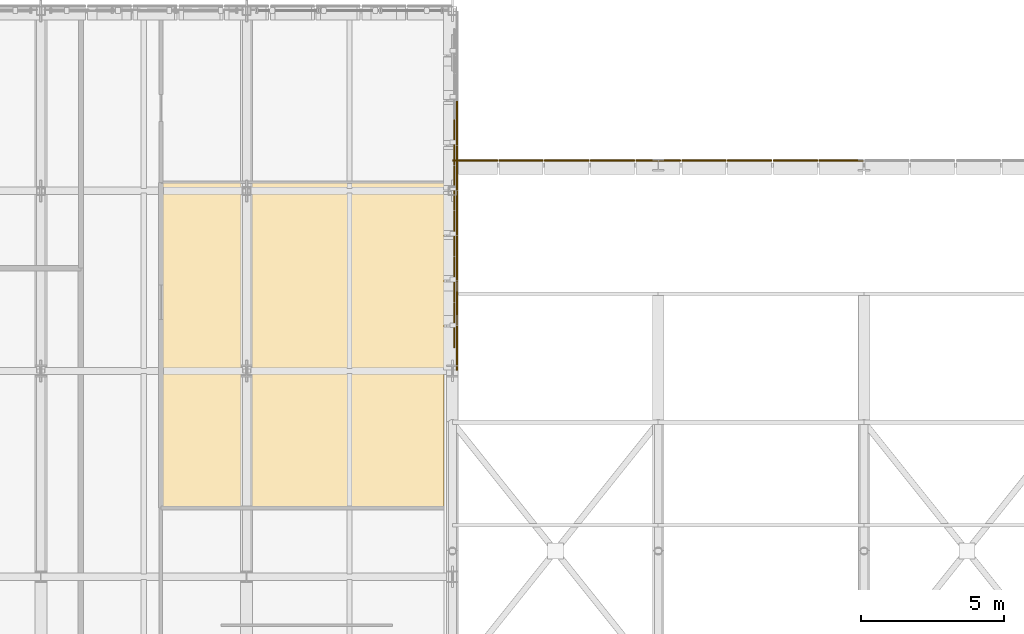
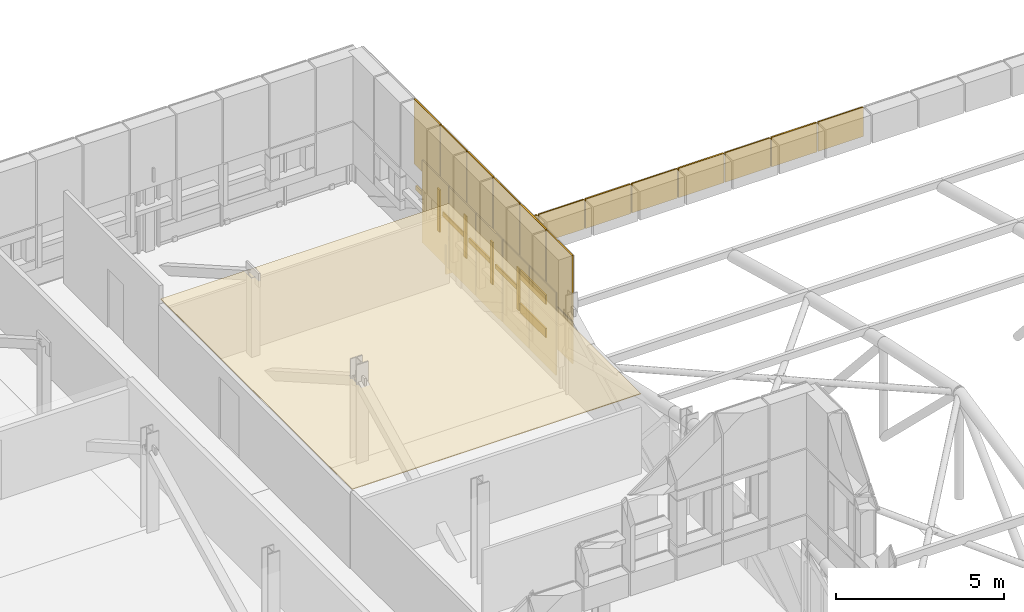
# One storey, part 86 of 96: 27 coverings, 5 shading devices.
"""IFC4 building model written with IfcOpenShell, lengths in metres."""

from ifc_helpers import new_model, si_unit, direction, frame, origin, origin_2d, place, context, subcontext, project, spatial, polyline, rectangle, outline, extrude, material, layer, layer_set, type_object, element, save


model = new_model("IFC4")

# Units and contexts
model_context = context("Model", 3, precision=1e-05, world=origin(), true_north=direction((0.0, 1.0)))
body_context = subcontext(model_context, "Body", "Model", "MODEL_VIEW")
ifc_project = project(units=[si_unit("LENGTHUNIT", "METRE"), si_unit("AREAUNIT", "SQUARE_METRE"), si_unit("VOLUMEUNIT", "CUBIC_METRE"), si_unit("PLANEANGLEUNIT", "RADIAN"), si_unit("MASSUNIT", "GRAM", prefix="KILO")], contexts=[model_context])

# Site, building, storey
site_placement = place(None, origin())
site = spatial("IfcSite", under=ifc_project, at=site_placement, CompositionType="ELEMENT")
building_placement = place(site_placement, origin())
building = spatial("IfcBuilding", under=site, at=building_placement, Name="Yarey Park Central Fire Station", CompositionType="ELEMENT")
storey_placement = place(building_placement, frame((0.0, 0.0, 14.39990234375)))
storey = spatial("IfcBuildingStorey", under=building, at=storey_placement, Name="L04", CompositionType="ELEMENT", Elevation=14.39990234375)

# Coverings
ifc_material_1 = material(Name="Perforated Powder-Coated Aluminium Cladding", Category="aluminium")
ifc_layer_1 = layer(ifc_material_1, 0.0419921875)
ifc_layer_set_1 = layer_set([ifc_layer_1], Name="Perforated Powder-Coated Aluminium Cladding")
covering_type_1 = type_object("IfcCoveringType", Name="ENV_COV_PERF_1", PredefinedType="CLADDING", material=ifc_layer_set_1)
covering_1_placement = place(storey_placement, frame((57.760009765625, 87.1875, 0.864990234375), z_axis=(0.0, 0.0, 1.0), x_axis=(0.0, 1.0, 0.0)))
element("IfcCovering", 1, at=covering_1_placement, inside=storey, type_object=covering_type_1, Name="PERF_L04_0469", PredefinedType="CLADDING", context=body_context, shape_type="SweptSolid", body=[
    extrude(rectangle(XDim=1.534912109375, YDim=0.0419921875, at=origin_2d()), origin(), (0.0, 0.0, 1.0), 1.5400390625),
])
covering_2_placement = place(storey_placement, frame((57.760009765625, 87.1875, 2.43505859375), z_axis=(0.0, 0.0, 1.0), x_axis=(0.0, 1.0, 0.0)))
element("IfcCovering", 2, at=covering_2_placement, inside=storey, type_object=covering_type_1, Name="PERF_L04_0470", PredefinedType="CLADDING", context=body_context, shape_type="SweptSolid", body=[
    extrude(rectangle(XDim=1.534912109375, YDim=0.0419921875, at=origin_2d()), origin(), (0.0, 0.0, 1.0), 2.3701171875),
])
covering_3_placement = place(storey_placement, frame((57.760009765625, 89.659912109375, 0.864990234375), z_axis=(0.0, 0.0, 1.0), x_axis=(0.0, 1.0, 0.0)))
element("IfcCovering", 3, at=covering_3_placement, inside=storey, type_object=covering_type_1, Name="PERF_L04_0486", PredefinedType="CLADDING", context=body_context, shape_type="SweptSolid", body=[
    extrude(rectangle(XDim=0.159912109375, YDim=0.0419921875, at=origin_2d()), origin(), (0.0, 0.0, 1.0), 1.5400390625),
])
covering_4_placement = place(storey_placement, frame((57.760009765625, 90.33740234375, 1.55517578125), z_axis=(0.0, 0.0, 1.0), x_axis=(0.0, 1.0, 0.0)))
element("IfcCovering", 4, at=covering_4_placement, inside=storey, type_object=covering_type_1, Name="PERF_L04_0487", PredefinedType="CLADDING", context=body_context, shape_type="SweptSolid", body=[
    extrude(rectangle(XDim=1.3349609375, YDim=0.0419921875, at=origin_2d()), origin(), (0.0, 0.0, 1.0), 0.159912109375),
])
covering_5_placement = place(storey_placement, frame((57.760009765625, 90.33740234375, 2.43505859375), z_axis=(0.0, 0.0, 1.0), x_axis=(0.0, 1.0, 0.0)))
element("IfcCovering", 5, at=covering_5_placement, inside=storey, type_object=covering_type_1, Name="PERF_L04_0488", PredefinedType="CLADDING", context=body_context, shape_type="SweptSolid", body=[
    extrude(rectangle(XDim=1.534912109375, YDim=0.0419921875, at=origin_2d()), origin(), (0.0, 0.0, 1.0), 2.3701171875),
])
covering_6_placement = place(storey_placement, frame((57.760009765625, 92.81005859375, 0.864990234375), z_axis=(0.0, 0.0, 1.0), x_axis=(0.0, 1.0, 0.0)))
element("IfcCovering", 6, at=covering_6_placement, inside=storey, type_object=covering_type_1, Name="PERF_L04_0500", PredefinedType="CLADDING", context=body_context, shape_type="SweptSolid", body=[
    extrude(rectangle(XDim=0.159912109375, YDim=0.0419921875, at=origin_2d()), origin(), (0.0, 0.0, 1.0), 1.5400390625),
])
covering_7_placement = place(storey_placement, frame((57.760009765625, 93.487548828125, 1.55517578125), z_axis=(0.0, 0.0, 1.0), x_axis=(0.0, 1.0, 0.0)))
element("IfcCovering", 7, at=covering_7_placement, inside=storey, type_object=covering_type_1, Name="PERF_L04_0501", PredefinedType="CLADDING", context=body_context, shape_type="SweptSolid", body=[
    extrude(rectangle(XDim=1.3349609375, YDim=0.0419921875, at=origin_2d()), origin(), (0.0, 0.0, 1.0), 0.159912109375),
])
covering_8_placement = place(storey_placement, frame((57.760009765625, 93.487548828125, 2.43505859375), z_axis=(0.0, 0.0, 1.0), x_axis=(0.0, 1.0, 0.0)))
element("IfcCovering", 8, at=covering_8_placement, inside=storey, type_object=covering_type_1, Name="PERF_L04_0502", PredefinedType="CLADDING", context=body_context, shape_type="SweptSolid", body=[
    extrude(rectangle(XDim=1.534912109375, YDim=0.0419921875, at=origin_2d()), origin(), (0.0, 0.0, 1.0), 2.3701171875),
])
for number, where, z_axis, x_axis, name in (
    (9, (58.39990234375, 93.760009765625, -0.28515625), (0.0, 0.0, 1.0), (1.0, 0.0, 0.0), "PERF_L04_1568"),
    (10, (61.60009765625, 93.760009765625, -0.28515625), (0.0, 0.0, 1.0), (1.0, 0.0, 0.0), "PERF_L04_1577"),
    (11, (64.800048828125, 93.760009765625, -0.28515625), (0.0, 0.0, 1.0), (1.0, 0.0, 0.0), "PERF_L04_1585"),
    (12, (68.0, 93.760009765625, -0.28515625), (0.0, 0.0, 1.0), (1.0, 0.0, 0.0), "PERF_L04_1593"),
    (13, (71.199951171875, 93.760009765625, -0.28515625), (0.0, 0.0, 1.0), (1.0, 0.0, 0.0), "PERF_L04_1602"),
):
    element("IfcCovering", number, at=place(storey_placement, frame(where, z_axis=z_axis, x_axis=x_axis)), inside=storey, type_object=covering_type_1, Name=name, PredefinedType="CLADDING", context=body_context, shape_type="SweptSolid", body=[
        extrude(rectangle(XDim=1.56005859375, YDim=0.0419921875, at=origin_2d()), origin(), (0.0, 0.0, 1.0), 1.070068359375),
    ])
ifc_layer_2 = layer(ifc_material_1, 0.053955078125)
ifc_layer_set_2 = layer_set([ifc_layer_2], Name="Perforated Powder-Coated Aluminium Cladding")
covering_type_2 = type_object("IfcCoveringType", Name="ENV_COV_PERF_2", PredefinedType="CLADDING", material=ifc_layer_set_2)
for number, where, z_axis, x_axis, name in (
    (14, (57.760009765625, 88.762451171875, 0.85986328125), (0.0, 0.0, 1.0), (0.0, 1.0, 0.0), "PERF_L04_0477"),
    (15, (57.760009765625, 88.762451171875, 2.06982421875), (0.0, 0.0, 1.0), (0.0, 1.0, 0.0), "PERF_L04_0478"),
):
    element("IfcCovering", number, at=place(storey_placement, frame(where, z_axis=z_axis, x_axis=x_axis)), inside=storey, type_object=covering_type_2, Name=name, PredefinedType="CLADDING", context=body_context, shape_type="SweptSolid", body=[
        extrude(rectangle(XDim=1.534912109375, YDim=0.053955078125, at=origin_2d()), origin(), (0.0, 0.0, 1.0), 0.340087890625),
    ])
covering_9_placement = place(storey_placement, frame((57.760009765625, 88.762451171875, 2.43505859375), z_axis=(0.0, 0.0, 1.0), x_axis=(0.0, 1.0, 0.0)))
element("IfcCovering", 16, at=covering_9_placement, inside=storey, type_object=covering_type_2, Name="PERF_L04_0481", PredefinedType="CLADDING", context=body_context, shape_type="SweptSolid", body=[
    extrude(rectangle(XDim=1.534912109375, YDim=0.053955078125, at=origin_2d()), origin(), (0.0, 0.0, 1.0), 2.3701171875),
])
covering_10_placement = place(storey_placement, frame((57.760009765625, 91.235107421875, 0.864990234375), z_axis=(0.0, 0.0, 1.0), x_axis=(0.0, 1.0, 0.0)))
element("IfcCovering", 17, at=covering_10_placement, inside=storey, type_object=covering_type_2, Name="PERF_L04_0493", PredefinedType="CLADDING", context=body_context, shape_type="SweptSolid", body=[
    extrude(rectangle(XDim=0.159912109375, YDim=0.053955078125, at=origin_2d()), origin(), (0.0, 0.0, 1.0), 1.5400390625),
])
covering_11_placement = place(storey_placement, frame((57.760009765625, 91.91259765625, 1.55517578125), z_axis=(0.0, 0.0, 1.0), x_axis=(0.0, 1.0, 0.0)))
element("IfcCovering", 18, at=covering_11_placement, inside=storey, type_object=covering_type_2, Name="PERF_L04_0494", PredefinedType="CLADDING", context=body_context, shape_type="SweptSolid", body=[
    extrude(rectangle(XDim=1.3349609375, YDim=0.053955078125, at=origin_2d()), origin(), (0.0, 0.0, 1.0), 0.159912109375),
])
covering_12_placement = place(storey_placement, frame((57.760009765625, 91.91259765625, 2.43505859375), z_axis=(0.0, 0.0, 1.0), x_axis=(0.0, 1.0, 0.0)))
element("IfcCovering", 19, at=covering_12_placement, inside=storey, type_object=covering_type_2, Name="PERF_L04_0495", PredefinedType="CLADDING", context=body_context, shape_type="SweptSolid", body=[
    extrude(rectangle(XDim=1.534912109375, YDim=0.053955078125, at=origin_2d()), origin(), (0.0, 0.0, 1.0), 2.3701171875),
])
covering_13_placement = place(storey_placement, frame((57.760009765625, 94.385009765625, 0.864990234375), z_axis=(0.0, 0.0, 1.0), x_axis=(0.0, 1.0, 0.0)))
element("IfcCovering", 20, at=covering_13_placement, inside=storey, type_object=covering_type_2, Name="PERF_L04_0507", PredefinedType="CLADDING", context=body_context, shape_type="SweptSolid", body=[
    extrude(rectangle(XDim=0.159912109375, YDim=0.053955078125, at=origin_2d()), origin(), (0.0, 0.0, 1.0), 1.5400390625),
])
covering_14_placement = place(storey_placement, frame((57.760009765625, 95.0625, 1.55517578125), z_axis=(0.0, 0.0, 1.0), x_axis=(0.0, 1.0, 0.0)))
element("IfcCovering", 21, at=covering_14_placement, inside=storey, type_object=covering_type_2, Name="PERF_L04_0508", PredefinedType="CLADDING", context=body_context, shape_type="SweptSolid", body=[
    extrude(rectangle(XDim=1.3349609375, YDim=0.053955078125, at=origin_2d()), origin(), (0.0, 0.0, 1.0), 0.159912109375),
])
covering_15_placement = place(storey_placement, frame((57.760009765625, 95.0625, 2.43505859375), z_axis=(0.0, 0.0, 1.0), x_axis=(0.0, 1.0, 0.0)))
element("IfcCovering", 22, at=covering_15_placement, inside=storey, type_object=covering_type_2, Name="PERF_L04_0509", PredefinedType="CLADDING", context=body_context, shape_type="SweptSolid", body=[
    extrude(rectangle(XDim=1.534912109375, YDim=0.053955078125, at=origin_2d()), origin(), (0.0, 0.0, 1.0), 2.3701171875),
])
for number, where, z_axis, x_axis, name in (
    (23, (60.0, 93.760009765625, -0.28515625), (0.0, 0.0, 1.0), (1.0, 0.0, 0.0), "PERF_L04_1571"),
    (24, (63.199951171875, 93.760009765625, -0.28515625), (0.0, 0.0, 1.0), (1.0, 0.0, 0.0), "PERF_L04_1581"),
    (25, (66.39990234375, 93.760009765625, -0.28515625), (0.0, 0.0, 1.0), (1.0, 0.0, 0.0), "PERF_L04_1589"),
    (26, (69.60009765625, 93.760009765625, -0.28515625), (0.0, 0.0, 1.0), (1.0, 0.0, 0.0), "PERF_L04_1599"),
):
    element("IfcCovering", number, at=place(storey_placement, frame(where, z_axis=z_axis, x_axis=x_axis)), inside=storey, type_object=covering_type_2, Name=name, PredefinedType="CLADDING", context=body_context, shape_type="SweptSolid", body=[
        extrude(rectangle(XDim=1.56005859375, YDim=0.053955078125, at=origin_2d()), origin(), (0.0, 0.0, 1.0), 1.070068359375),
    ])

# Shading devices
ifc_material_2 = material(Name="Perforated Powder-Coated Aluminium Screen", Category="aluminium")
ifc_layer_3 = layer(ifc_material_2, 0.0400390625)
ifc_layer_set_3 = layer_set([ifc_layer_3], Name="Perforated Powder-Coated Aluminium Screen")
shading_device_type = type_object("IfcShadingDeviceType", Name="ENV_SHD_SCR_2", PredefinedType="USERDEFINED", material=ifc_layer_set_3)
for number, where, z_axis, x_axis, name in (
    (27, (57.659912109375, 88.0, 0.0), (0.0, 0.0, 1.0), (0.0, 1.0, 0.0), "SCR_L04_SIDE_048"),
    (28, (57.659912109375, 89.60009765625, 0.0), (0.0, 0.0, 1.0), (0.0, 1.0, 0.0), "SCR_L04_SIDE_050"),
    (29, (57.659912109375, 91.199951171875, 0.0), (0.0, 0.0, 1.0), (0.0, 1.0, 0.0), "SCR_L04_SIDE_052"),
    (30, (57.659912109375, 92.800048828125, 0.0), (0.0, 0.0, 1.0), (0.0, 1.0, 0.0), "SCR_L04_SIDE_054"),
    (31, (57.659912109375, 94.39990234375, 0.0), (0.0, 0.0, 1.0), (0.0, 1.0, 0.0), "SCR_L04_SIDE_056"),
):
    element("IfcShadingDevice", number, at=place(storey_placement, frame(where, z_axis=z_axis, x_axis=x_axis)), inside=storey, type_object=shading_device_type, Name=name, ObjectType="SCREEN", PredefinedType="USERDEFINED", context=body_context, shape_type="SweptSolid", body=[
        extrude(rectangle(XDim=1.56005859375, YDim=0.0400390625, at=origin_2d()), origin(), (0.0, 0.0, 1.0), 3.0),
    ])

# Covering
ifc_material_3 = material(Name="Acoustic Mineral Fibre Tile", Category="finish")
ifc_layer_4 = layer(ifc_material_3, 0.02001953125)
ifc_layer_set_4 = layer_set([ifc_layer_4], Name="Acoustic Mineral Fibre Tile")
covering_type_3 = type_object("IfcCoveringType", Name="INT_CEIL_ACT_1", PredefinedType="CEILING", material=ifc_layer_set_4)
covering_16_placement = place(storey_placement, frame((0.0, 0.0, 2.85009765625)))
element("IfcCovering", 32, at=covering_16_placement, inside=storey, type_object=covering_type_3, Name="CEIL_SPC_L04_LIB", PredefinedType="CEILING", context=body_context, shape_type="SweptSolid", body=[
    extrude(outline(polyline([(47.389892578125, 81.590087890625), (57.31005859375, 81.590087890625), (57.31005859375, 93.010009765625), (47.389892578125, 93.010009765625), (47.389892578125, 81.590087890625)])), origin(), (0.0, 0.0, 1.0), 0.02001953125),
])

save(model, "model.ifc")
